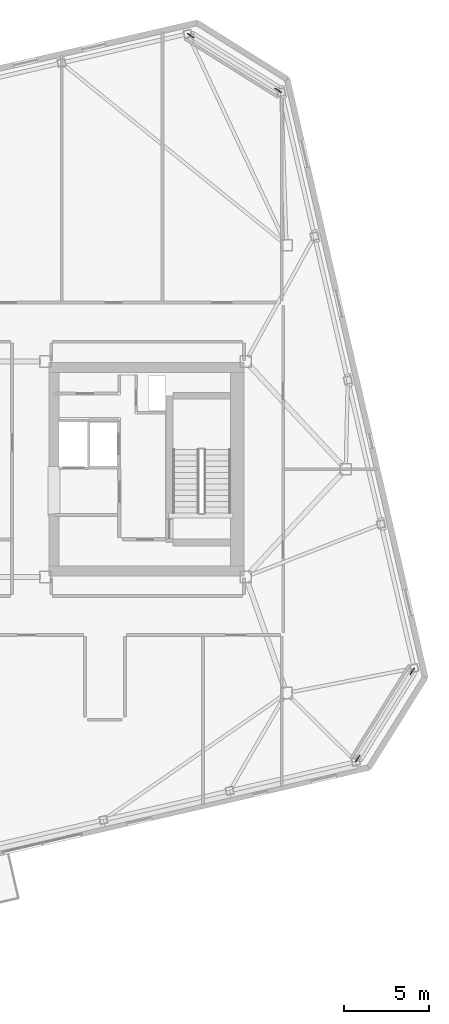
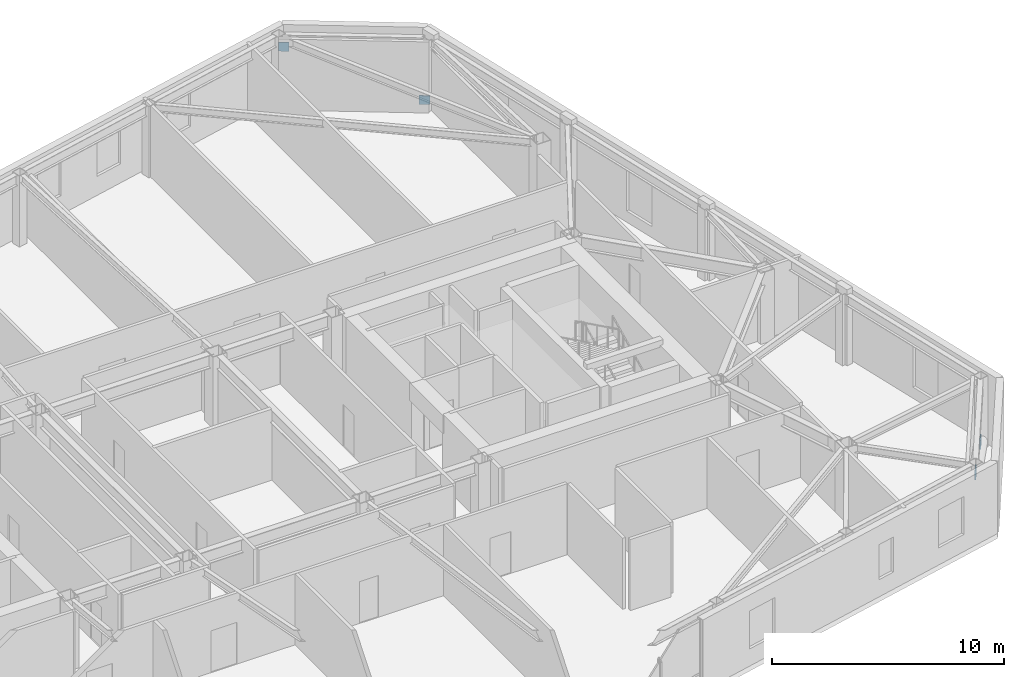
# One storey, part 21 of 23: 4 discrete accessories.
"""IFC4 building model written with IfcOpenShell, lengths in metres."""

import ifcopenshell
import ifcopenshell.guid

model = None  # the IFC model being written
_history = None  # IfcOwnerHistory: only IFC2X3 demands one
_inside = {}  # id of a spatial element -> (the spatial element, [elements in it])
_under = {}  # id of a project, library or spatial element -> (it, [spatial elements below it])
_declared = {}  # id of a project -> (the project, [libraries it declares])
_typed = {}  # id of a type object -> (the type object, [elements of that type])
_made_of = {}  # id of a material, layer set ... -> (it, [elements and type objects made of it])


def new_model(schema):
    """Start an empty IFC model of exactly this schema.

    Asked for "IFC4X3", IfcOpenShell would pick the latest addendum, in which some entities
    have other attributes; the version numbers below select the first issue.
    IFC2X3 requires an IfcOwnerHistory on every rooted entity: one is made here for all.
    """
    global model, _history
    if schema == "IFC4X3":
        model = ifcopenshell.file(schema_version=(4, 3, 0, 0))
    else:
        model = ifcopenshell.file(schema=schema)
    _inside.clear()
    _under.clear()
    _declared.clear()
    _typed.clear()
    _made_of.clear()
    _history = None
    if model.schema == "IFC2X3":
        org = make("IfcOrganization", Name="unknown")
        user = make(
            "IfcPersonAndOrganization",
            ThePerson=make("IfcPerson", FamilyName="unknown"),
            TheOrganization=org,
        )
        app = make(
            "IfcApplication",
            ApplicationDeveloper=org,
            Version="unknown",
            ApplicationFullName="unknown",
            ApplicationIdentifier="unknown",
        )
        _history = make(
            "IfcOwnerHistory",
            OwningUser=user,
            OwningApplication=app,
            ChangeAction="ADDED",
            CreationDate=0,
        )
    return model


def make(cls, **values):
    """One entity of the class cls with the attributes given. An attribute that is None is left unset."""
    return model.create_entity(
        cls, **{name: value for name, value in values.items() if value is not None}
    )


def rooted(cls, **values):
    """An entity with a GlobalId (a new one), such as an element, a storey or a relation."""
    return make(cls, GlobalId=ifcopenshell.guid.new(), OwnerHistory=_history, **values)


def si_unit(unit_type, name, prefix=None):
    """IfcSIUnit, for example si_unit("LENGTHUNIT", "METRE", prefix="MILLI")."""
    return make("IfcSIUnit", UnitType=unit_type, Prefix=prefix, Name=name)


def assignment(units):
    """IfcUnitAssignment: the units of a project."""
    return None if units is None else make("IfcUnitAssignment", Units=units)


def point(xyz):
    """IfcCartesianPoint."""
    return None if xyz is None else make("IfcCartesianPoint", Coordinates=xyz)


def direction(xyz):
    """IfcDirection."""
    return None if xyz is None else make("IfcDirection", DirectionRatios=xyz)


def frame(location, z_axis=None, x_axis=None):
    """IfcAxis2Placement3D, a coordinate frame: its origin and axes. An axis left out is left unset."""
    return make(
        "IfcAxis2Placement3D",
        Location=point(location),
        Axis=direction(z_axis),
        RefDirection=direction(x_axis),
    )


def frame_2d(location, x_axis=None):
    """IfcAxis2Placement2D, a coordinate frame in the plane: its origin and x axis."""
    return make(
        "IfcAxis2Placement2D", Location=point(location), RefDirection=direction(x_axis)
    )


def origin():
    """The frame at (0, 0, 0) with its axes left unset."""
    return frame((0.0, 0.0, 0.0))


def origin_2d():
    """The frame at (0, 0) in the plane with its x axis left unset."""
    return frame_2d((0.0, 0.0))


def place(relative_to, where):
    """IfcLocalPlacement: puts the frame where relative to a parent placement (None: the world)."""
    return make(
        "IfcLocalPlacement", PlacementRelTo=relative_to, RelativePlacement=where
    )


def context(
    kind, dimensions, precision=None, world=None, true_north=None, identifier=None
):
    """IfcGeometricRepresentationContext, for example the 3D "Model" context."""
    return make(
        "IfcGeometricRepresentationContext",
        ContextIdentifier=identifier,
        ContextType=kind,
        CoordinateSpaceDimension=dimensions,
        Precision=precision,
        WorldCoordinateSystem=world,
        TrueNorth=true_north,
    )


def subcontext(parent, identifier, kind, view, scale=None):
    """IfcGeometricRepresentationSubContext, for example "Body" below "Model"."""
    return make(
        "IfcGeometricRepresentationSubContext",
        ContextIdentifier=identifier,
        ContextType=kind,
        ParentContext=parent,
        TargetScale=scale,
        TargetView=view,
    )


def project(units=None, contexts=None):
    """IfcProject with its units and contexts."""
    return rooted(
        "IfcProject",
        Name="project",
        RepresentationContexts=contexts,
        UnitsInContext=assignment(units),
    )


def spatial(cls, under=None, at=None, **own):
    """A site, building, storey or space (cls), placed at a placement, below another one or the project."""
    s = rooted(cls, ObjectPlacement=at, **own)
    if under is not None:
        _under.setdefault(under.id(), (under, []))[1].append(s)
    return s


def profile(cls, at=None, kind="AREA", **sizes):
    """A parametric profile (cls). Its sizes go by their IFC names, for example OverallWidth=200.0."""
    return make(cls, ProfileType=kind, Position=at, **sizes)


def rectangle(**sizes):
    """IfcRectangleProfileDef."""
    return profile("IfcRectangleProfileDef", **sizes)


def extrude(swept, where, along, depth):
    """IfcExtrudedAreaSolid: the profile swept, set in the frame where, extruded along a direction by depth."""
    return make(
        "IfcExtrudedAreaSolid",
        SweptArea=swept,
        Position=where,
        ExtrudedDirection=direction(along),
        Depth=depth,
    )


def shape(context_of_items, identifier, shape_type, items):
    """IfcShapeRepresentation: the items that make up one representation, for example the "Body"."""
    return make(
        "IfcShapeRepresentation",
        ContextOfItems=context_of_items,
        RepresentationIdentifier=identifier,
        RepresentationType=shape_type,
        Items=items,
    )


def material(Name=None, Category=None):
    """IfcMaterial."""
    return make("IfcMaterial", Name=Name, Category=Category)


def made_of(thing, what):
    """Note that an element or type object is made of a material, layer set ...; save() writes the relation."""
    if what is not None:
        _made_of.setdefault(what.id(), (what, []))[1].append(thing)
    return thing


def type_object(cls, material=None, **own):
    """A type object (cls), such as IfcWallType, which elements share."""
    return made_of(rooted(cls, **own), material)


def element(
    cls,
    number,
    at=None,
    inside=None,
    cuts=None,
    type_object=None,
    material=None,
    context=None,
    identifier="Body",
    shape_type=None,
    held_by="IfcProductDefinitionShape",
    body=None,
    shapes=None,
    **own,
):
    """One element of the class cls, such as IfcWall. Its Tag is "e" and its number.

    at: its placement. inside: the storey or other place that contains it. cuts: it is an
    opening in that element (IfcRelVoidsElement). A single representation is given by context,
    identifier, shape_type and body (its items); several are given by shapes. held_by: the class
    of the entity that holds the representations. save() writes the other relations.
    """
    e = rooted(cls, Tag="e%d" % number, ObjectPlacement=at, **own)
    if body is not None:
        shapes = [shape(context, identifier, shape_type, body)]
    if shapes is not None:
        e.Representation = make(held_by, Representations=shapes)
    if inside is not None:
        _inside.setdefault(inside.id(), (inside, []))[1].append(e)
    if cuts is not None:
        rooted(
            "IfcRelVoidsElement", RelatingBuildingElement=cuts, RelatedOpeningElement=e
        )
    if type_object is not None:
        _typed.setdefault(type_object.id(), (type_object, []))[1].append(e)
    return made_of(e, material)


def aggregate(whole, parts):
    """IfcRelAggregates: a whole, such as a stair, and the parts it consists of."""
    return rooted("IfcRelAggregates", RelatingObject=whole, RelatedObjects=parts)


def save(model, path):
    """Write the relations noted so far, then the file.

    IfcRelAggregates (storeys below a building ...), IfcRelContainedInSpatialStructure (elements
    in a storey), IfcRelDefinesByType, IfcRelAssociatesMaterial and IfcRelDeclares: one each for
    every whole, place, type object, material and project.
    """
    for whole, parts in _under.values():
        aggregate(whole, parts)
    for where, things in _inside.values():
        rooted(
            "IfcRelContainedInSpatialStructure",
            RelatedElements=things,
            RelatingStructure=where,
        )
    for kind, things in _typed.values():
        rooted("IfcRelDefinesByType", RelatedObjects=things, RelatingType=kind)
    for what, things in _made_of.values():
        rooted("IfcRelAssociatesMaterial", RelatedObjects=things, RelatingMaterial=what)
    for by, libraries in _declared.values():
        rooted("IfcRelDeclares", RelatingContext=by, RelatedDefinitions=libraries)
    model.write(path)


model = new_model("IFC4")

# Units and contexts
model_context = context("Model", 3, precision=1e-05, world=origin(), true_north=direction((0.0, 1.0)))
body_context = subcontext(model_context, "Body", "Model", "MODEL_VIEW")
ifc_project = project(units=[si_unit("LENGTHUNIT", "METRE"), si_unit("AREAUNIT", "SQUARE_METRE"), si_unit("VOLUMEUNIT", "CUBIC_METRE"), si_unit("PLANEANGLEUNIT", "RADIAN"), si_unit("MASSUNIT", "GRAM", prefix="KILO")], contexts=[model_context])

# Site, building, storey
site_placement = place(None, origin())
site = spatial("IfcSite", under=ifc_project, at=site_placement, CompositionType="ELEMENT")
building_placement = place(site_placement, origin())
building = spatial("IfcBuilding", under=site, at=building_placement, Name="Tavrogorsk Clinical Tower", CompositionType="ELEMENT")
storey_placement = place(building_placement, frame((0.0, 0.0, 289.0)))
storey = spatial("IfcBuildingStorey", under=building, at=storey_placement, Name="L67", CompositionType="ELEMENT", Elevation=289.0)

# Discrete accessories
ifc_material = material(Name="Structural steel S440", Category="steel")
discrete_accessory_type = type_object("IfcDiscreteAccessoryType", Name="GussetPlateBracket_25", PredefinedType="BRACKET", material=ifc_material)
for number, where, z_axis, x_axis, name in (
    (1, (31.9228515625, -11.9091796875, 0.163330078125), (0.0, 0.0, 1.0), (-0.529919264233, -0.848048096156, 0.0), "L67 Brace Gusset Plate EXOCRN-L67-1-A"),
    (2, (28.70166015625, -17.063720703125, 2.81689453125), (0.0, 0.0, 1.0), (-0.529919264233, -0.848048096156, 0.0), "L67 Brace Gusset Plate EXOCRN-L67-1-B"),
    (3, (24.017578125, 22.332275390625, 0.163330078125), (0.0, 0.0, 1.0), (-0.848048096156, 0.529919264233, 0.0), "L67 Brace Gusset Plate EXOCRN-L67-2-A"),
    (4, (18.86279296875, 25.55322265625, 2.81689453125), (0.0, 0.0, 1.0), (-0.848048096156, 0.529919264233, 0.0), "L67 Brace Gusset Plate EXOCRN-L67-2-B"),
):
    element("IfcDiscreteAccessory", number, at=place(storey_placement, frame(where, z_axis=z_axis, x_axis=x_axis)), inside=storey, type_object=discrete_accessory_type, Name=name, PredefinedType="BRACKET", context=body_context, shape_type="SweptSolid", body=[
        extrude(rectangle(XDim=0.4599609375, YDim=0.0400390625, at=origin_2d()), origin(), (0.0, 0.0, 1.0), 0.4599609375),
    ])

save(model, "model.ifc")
